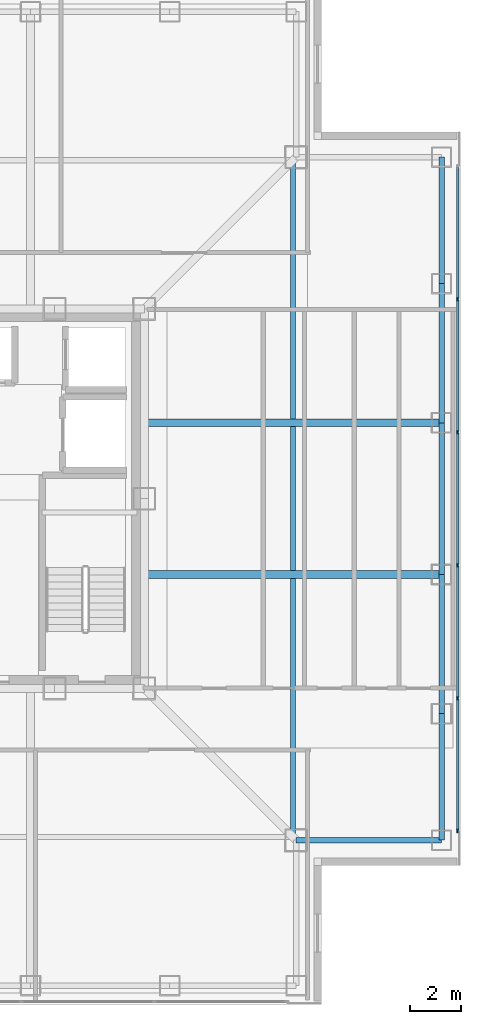
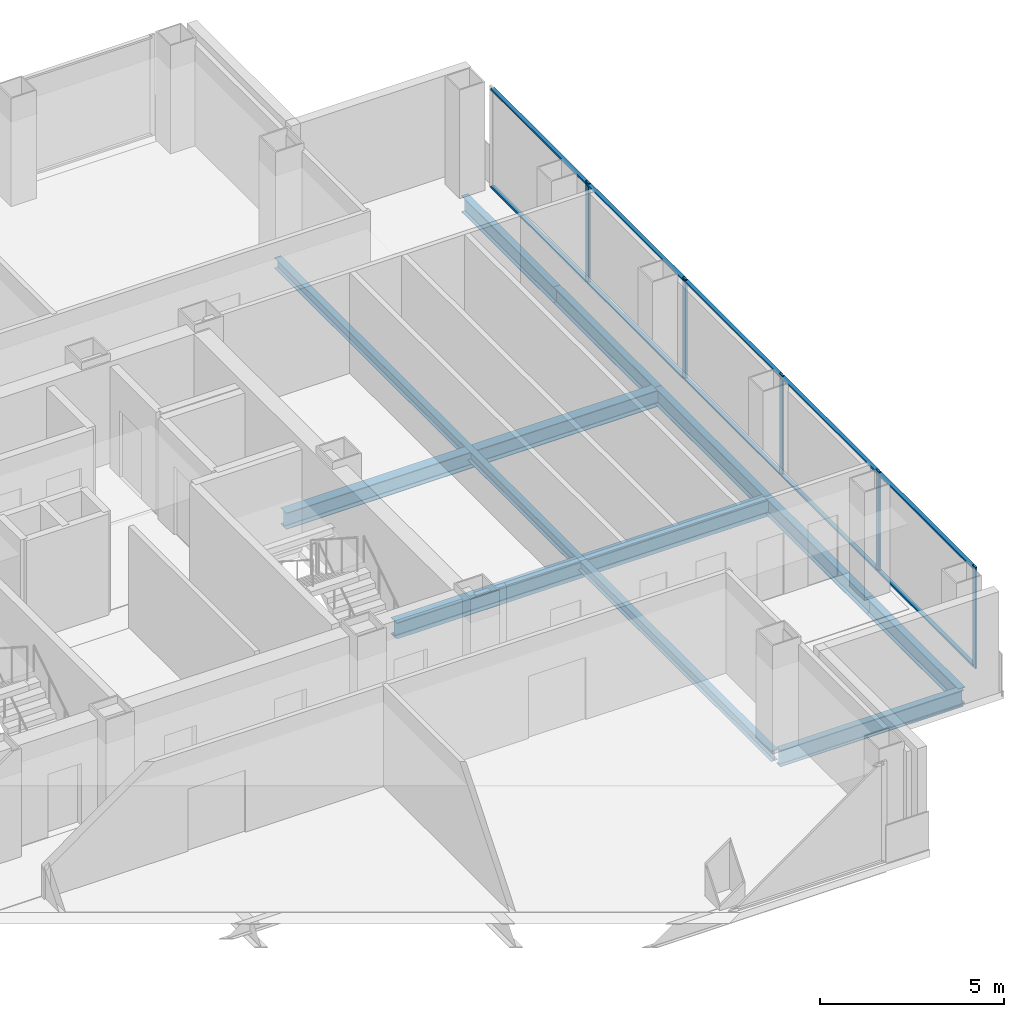
# One storey, part 6 of 18: 15 members, 9 beams, 1 element without a shape of its own.
"""IFC4 building model written with IfcOpenShell, lengths in metres."""

from ifc_helpers import new_model, si_unit, direction, frame, origin, origin_2d, place, context, subcontext, project, spatial, rectangle, i_section, extrude, material, layer, layer_set, material_profile, profile_set, type_object, element, aggregate, save


model = new_model("IFC4")

# Units and contexts
model_context = context("Model", 3, precision=1e-05, world=origin(), true_north=direction((0.0, 1.0)))
body_context = subcontext(model_context, "Body", "Model", "MODEL_VIEW")
ifc_project = project(units=[si_unit("LENGTHUNIT", "METRE"), si_unit("AREAUNIT", "SQUARE_METRE"), si_unit("VOLUMEUNIT", "CUBIC_METRE"), si_unit("PLANEANGLEUNIT", "RADIAN"), si_unit("MASSUNIT", "GRAM", prefix="KILO")], contexts=[model_context])

# Site, building, storey
site_placement = place(None, origin())
site = spatial("IfcSite", under=ifc_project, at=site_placement, CompositionType="ELEMENT")
building_placement = place(site_placement, origin())
building = spatial("IfcBuilding", under=site, at=building_placement, Name="Trevonay Congress Spire", CompositionType="ELEMENT")
storey_placement = place(building_placement, frame((0.0, 0.0, 198.60009765625)))
storey = spatial("IfcBuildingStorey", under=building, at=storey_placement, Name="L51", CompositionType="ELEMENT", Elevation=198.60009765625)

# Beams
ifc_material_1 = material(Name="Steel ASTM A572 Grade 50", Category="steel")
ifc_material_profile_1 = material_profile(ifc_material_1, i_section(OverallWidth=0.31201171875, OverallDepth=0.54296875, WebThickness=0.0126953125, FlangeThickness=0.020263671875, FilletRadius=0.014892578125, at=origin_2d()), Name="W530x150")
ifc_profile_set_1 = profile_set([ifc_material_profile_1], Name="Steel ASTM A572 Grade 50")
beam_type_1 = type_object("IfcBeamType", Name="BM-GIRD-W530X150", PredefinedType="BEAM", material=ifc_profile_set_1)
for number, where, z_axis, x_axis, name in (
    (1, (7.5, -3.0, -0.51171875), (1.0, 0.0, 0.0), (0.0, 1.0, 0.0), "L51 structural beam BM-L51-GE-M"),
    (2, (7.5, 3.0, -0.51171875), (1.0, 0.0, 0.0), (0.0, 1.0, 0.0), "L51 structural beam BM-L51-GE-P"),
):
    element("IfcBeam", number, at=place(storey_placement, frame(where, z_axis=z_axis, x_axis=x_axis)), inside=storey, type_object=beam_type_1, Name=name, PredefinedType="BEAM", context=body_context, shape_type="SweptSolid", body=[
        extrude(i_section(OverallWidth=0.31201171875, OverallDepth=0.54296875, WebThickness=0.0126953125, FlangeThickness=0.020263671875, FilletRadius=0.014892578125, at=origin_2d()), origin(), (0.0, 0.0, 1.0), 11.75),
    ])
ifc_material_profile_2 = material_profile(ifc_material_1, i_section(OverallWidth=0.2119140625, OverallDepth=0.5439453125, WebThickness=0.01318359375, FlangeThickness=0.021240234375, FilletRadius=0.014892578125, at=origin_2d()), Name="W530x123")
ifc_profile_set_2 = profile_set([ifc_material_profile_2], Name="Steel ASTM A572 Grade 50")
beam_type_2 = type_object("IfcBeamType", Name="BM-RING-W530X123", PredefinedType="BEAM", material=ifc_profile_set_2)
beam_1_placement = place(storey_placement, frame((19.25, -13.5, -0.51220703125), z_axis=(0.0, 1.0, 0.0), x_axis=(-1.0, 0.0, 0.0)))
element("IfcBeam", 3, at=beam_1_placement, inside=storey, type_object=beam_type_2, Name="L51 structural beam BM-L51-PE1", PredefinedType="BEAM", context=body_context, shape_type="SweptSolid", body=[
    extrude(i_section(OverallWidth=0.2119140625, OverallDepth=0.5439453125, WebThickness=0.01318359375, FlangeThickness=0.021240234375, FilletRadius=0.014892578125, at=origin_2d()), origin(), (0.0, 0.0, 1.0), 5.0),
])
beam_2_placement = place(storey_placement, frame((19.25, -8.5, -0.51220703125), z_axis=(0.0, 1.0, 0.0), x_axis=(-1.0, 0.0, 0.0)))
element("IfcBeam", 4, at=beam_2_placement, inside=storey, type_object=beam_type_2, Name="L51 structural beam BM-L51-PE2", PredefinedType="BEAM", context=body_context, shape_type="SweptSolid", body=[
    extrude(i_section(OverallWidth=0.2119140625, OverallDepth=0.5439453125, WebThickness=0.01318359375, FlangeThickness=0.021240234375, FilletRadius=0.014892578125, at=origin_2d()), origin(), (0.0, 0.0, 1.0), 5.5),
])
beam_3_placement = place(storey_placement, frame((19.25, -3.0, -0.51220703125), z_axis=(0.0, 1.0, 0.0), x_axis=(-1.0, 0.0, 0.0)))
element("IfcBeam", 5, at=beam_3_placement, inside=storey, type_object=beam_type_2, Name="L51 structural beam BM-L51-PE3", PredefinedType="BEAM", context=body_context, shape_type="SweptSolid", body=[
    extrude(i_section(OverallWidth=0.2119140625, OverallDepth=0.5439453125, WebThickness=0.01318359375, FlangeThickness=0.021240234375, FilletRadius=0.014892578125, at=origin_2d()), origin(), (0.0, 0.0, 1.0), 6.0),
])
beam_4_placement = place(storey_placement, frame((19.25, 3.0, -0.51220703125), z_axis=(0.0, 1.0, 0.0), x_axis=(-1.0, 0.0, 0.0)))
element("IfcBeam", 6, at=beam_4_placement, inside=storey, type_object=beam_type_2, Name="L51 structural beam BM-L51-PE4", PredefinedType="BEAM", context=body_context, shape_type="SweptSolid", body=[
    extrude(i_section(OverallWidth=0.2119140625, OverallDepth=0.5439453125, WebThickness=0.01318359375, FlangeThickness=0.021240234375, FilletRadius=0.014892578125, at=origin_2d()), origin(), (0.0, 0.0, 1.0), 5.5),
])
beam_5_placement = place(storey_placement, frame((19.25, 8.5, -0.51220703125), z_axis=(0.0, 1.0, 0.0), x_axis=(-1.0, 0.0, 0.0)))
element("IfcBeam", 7, at=beam_5_placement, inside=storey, type_object=beam_type_2, Name="L51 structural beam BM-L51-PE5", PredefinedType="BEAM", context=body_context, shape_type="SweptSolid", body=[
    extrude(i_section(OverallWidth=0.2119140625, OverallDepth=0.5439453125, WebThickness=0.01318359375, FlangeThickness=0.021240234375, FilletRadius=0.014892578125, at=origin_2d()), origin(), (0.0, 0.0, 1.0), 5.0),
])
beam_6_placement = place(storey_placement, frame((19.25, -13.5, -0.51220703125), z_axis=(-1.0, 0.0, 0.0), x_axis=(0.0, -1.0, 0.0)))
element("IfcBeam", 8, at=beam_6_placement, inside=storey, type_object=beam_type_2, Name="L51 structural beam BM-L51-N2SE", PredefinedType="BEAM", context=body_context, shape_type="SweptSolid", body=[
    extrude(i_section(OverallWidth=0.2119140625, OverallDepth=0.5439453125, WebThickness=0.01318359375, FlangeThickness=0.021240234375, FilletRadius=0.014892578125, at=origin_2d()), origin(), (0.0, 0.0, 1.0), 5.75),
])

# Curtain wall, members
ifc_material_2 = material(Name="Pale Anodised Aluminium EN AW-6063-T6", Category="aluminium")
ifc_layer = layer(ifc_material_2, 0.169921875, Name="Pale Anodised Aluminium EN AW-6063-T6")
ifc_layer_set = layer_set([ifc_layer], Name="Pale Anodised Aluminium EN AW-6063-T6")
curtain_wall_type = type_object("IfcCurtainWallType", Name="CW-SYS04-CORP-PALE-METAL", PredefinedType="NOTDEFINED", material=ifc_layer_set)
curtain_wall_placement = place(storey_placement, origin())
curtain_wall = element("IfcCurtainWall", 9, at=curtain_wall_placement, inside=storey, type_object=curtain_wall_type, Name="L51 E unitised curtain wall", PredefinedType="NOTDEFINED")
ifc_material_profile_3 = material_profile(ifc_material_2, rectangle(XDim=0.06005859375, YDim=0.159912109375, at=origin_2d()), Name="CW-MULLION-160-ALUMINIUM")
ifc_profile_set_3 = profile_set([ifc_material_profile_3], Name="Pale Anodised Aluminium EN AW-6063-T6")
member_type_1 = type_object("IfcMemberType", Name="CW-MULLION-160-ALUMINIUM", PredefinedType="MULLION", material=ifc_profile_set_3)
member_1_placement = place(storey_placement, frame((19.8798828125, -13.1201171875, 0.0), z_axis=(0.0, 0.0, 1.0), x_axis=(-1.0, 0.0, 0.0)))
member_1 = element("IfcMember", 10, at=member_1_placement, type_object=member_type_1, Name="CW04 mullion 1", PredefinedType="MULLION", context=body_context, shape_type="SweptSolid", body=[
    extrude(rectangle(XDim=0.06005859375, YDim=0.159912109375, at=origin_2d()), origin(), (0.0, 0.0, 1.0), 3.35986328125),
])
member_2_placement = place(storey_placement, frame((19.8798828125, -7.889892578125, 0.0), z_axis=(0.0, 0.0, 1.0), x_axis=(-1.0, 0.0, 0.0)))
member_2 = element("IfcMember", 11, at=member_2_placement, type_object=member_type_1, Name="CW04 mullion 2", PredefinedType="MULLION", context=body_context, shape_type="SweptSolid", body=[
    extrude(rectangle(XDim=0.06005859375, YDim=0.159912109375, at=origin_2d()), origin(), (0.0, 0.0, 1.0), 3.35986328125),
])
member_3_placement = place(storey_placement, frame((19.8798828125, -2.6298828125, 0.0), z_axis=(0.0, 0.0, 1.0), x_axis=(-1.0, 0.0, 0.0)))
member_3 = element("IfcMember", 12, at=member_3_placement, type_object=member_type_1, Name="CW04 mullion 3", PredefinedType="MULLION", context=body_context, shape_type="SweptSolid", body=[
    extrude(rectangle(XDim=0.06005859375, YDim=0.159912109375, at=origin_2d()), origin(), (0.0, 0.0, 1.0), 3.35986328125),
])
member_4_placement = place(storey_placement, frame((19.8798828125, 2.6298828125, 0.0), z_axis=(0.0, 0.0, 1.0), x_axis=(-1.0, 0.0, 0.0)))
member_4 = element("IfcMember", 13, at=member_4_placement, type_object=member_type_1, Name="CW04 mullion 4", PredefinedType="MULLION", context=body_context, shape_type="SweptSolid", body=[
    extrude(rectangle(XDim=0.06005859375, YDim=0.159912109375, at=origin_2d()), origin(), (0.0, 0.0, 1.0), 3.35986328125),
])
member_5_placement = place(storey_placement, frame((19.8798828125, 7.889892578125, 0.0), z_axis=(0.0, 0.0, 1.0), x_axis=(-1.0, 0.0, 0.0)))
member_5 = element("IfcMember", 14, at=member_5_placement, type_object=member_type_1, Name="CW04 mullion 5", PredefinedType="MULLION", context=body_context, shape_type="SweptSolid", body=[
    extrude(rectangle(XDim=0.06005859375, YDim=0.159912109375, at=origin_2d()), origin(), (0.0, 0.0, 1.0), 3.35986328125),
])
ifc_material_profile_4 = material_profile(ifc_material_2, rectangle(XDim=0.1201171875, YDim=0.06005859375, at=origin_2d()), Name="CW-TRANSOM-120-ALUMINIUM")
ifc_profile_set_4 = profile_set([ifc_material_profile_4], Name="Pale Anodised Aluminium EN AW-6063-T6")
member_type_2 = type_object("IfcMemberType", Name="CW-TRANSOM-120-ALUMINIUM", PredefinedType="USERDEFINED", material=ifc_profile_set_4)
member_6_placement = place(storey_placement, frame((19.8798828125, -13.090087890625, 0.059814453125), z_axis=(0.0, 1.0, 0.0), x_axis=(-1.0, 0.0, 0.0)))
member_6 = element("IfcMember", 15, at=member_6_placement, type_object=member_type_2, Name="CW04 transom 1.1", ObjectType="TRANSOM", PredefinedType="USERDEFINED", context=body_context, shape_type="SweptSolid", body=[
    extrude(rectangle(XDim=0.1201171875, YDim=0.06005859375, at=origin_2d()), origin(), (0.0, 0.0, 1.0), 5.170166015625),
])
member_7_placement = place(storey_placement, frame((19.8798828125, -13.090087890625, 3.2998046875), z_axis=(0.0, 1.0, 0.0), x_axis=(-1.0, 0.0, 0.0)))
member_7 = element("IfcMember", 16, at=member_7_placement, type_object=member_type_2, Name="CW04 transom 1.2", ObjectType="TRANSOM", PredefinedType="USERDEFINED", context=body_context, shape_type="SweptSolid", body=[
    extrude(rectangle(XDim=0.1201171875, YDim=0.06005859375, at=origin_2d()), origin(), (0.0, 0.0, 1.0), 5.170166015625),
])
member_8_placement = place(storey_placement, frame((19.8798828125, -7.860107421875, 0.059814453125), z_axis=(0.0, 1.0, 0.0), x_axis=(-1.0, 0.0, 0.0)))
member_8 = element("IfcMember", 17, at=member_8_placement, type_object=member_type_2, Name="CW04 transom 2.1", ObjectType="TRANSOM", PredefinedType="USERDEFINED", context=body_context, shape_type="SweptSolid", body=[
    extrude(rectangle(XDim=0.1201171875, YDim=0.06005859375, at=origin_2d()), origin(), (0.0, 0.0, 1.0), 5.2001953125),
])
member_9_placement = place(storey_placement, frame((19.8798828125, -7.860107421875, 3.2998046875), z_axis=(0.0, 1.0, 0.0), x_axis=(-1.0, 0.0, 0.0)))
member_9 = element("IfcMember", 18, at=member_9_placement, type_object=member_type_2, Name="CW04 transom 2.2", ObjectType="TRANSOM", PredefinedType="USERDEFINED", context=body_context, shape_type="SweptSolid", body=[
    extrude(rectangle(XDim=0.1201171875, YDim=0.06005859375, at=origin_2d()), origin(), (0.0, 0.0, 1.0), 5.2001953125),
])
member_10_placement = place(storey_placement, frame((19.8798828125, -2.60009765625, 0.059814453125), z_axis=(0.0, 1.0, 0.0), x_axis=(-1.0, 0.0, 0.0)))
member_10 = element("IfcMember", 19, at=member_10_placement, type_object=member_type_2, Name="CW04 transom 3.1", ObjectType="TRANSOM", PredefinedType="USERDEFINED", context=body_context, shape_type="SweptSolid", body=[
    extrude(rectangle(XDim=0.1201171875, YDim=0.06005859375, at=origin_2d()), origin(), (0.0, 0.0, 1.0), 5.2001953125),
])
member_11_placement = place(storey_placement, frame((19.8798828125, -2.60009765625, 3.2998046875), z_axis=(0.0, 1.0, 0.0), x_axis=(-1.0, 0.0, 0.0)))
member_11 = element("IfcMember", 20, at=member_11_placement, type_object=member_type_2, Name="CW04 transom 3.2", ObjectType="TRANSOM", PredefinedType="USERDEFINED", context=body_context, shape_type="SweptSolid", body=[
    extrude(rectangle(XDim=0.1201171875, YDim=0.06005859375, at=origin_2d()), origin(), (0.0, 0.0, 1.0), 5.2001953125),
])
member_12_placement = place(storey_placement, frame((19.8798828125, 2.659912109375, 0.059814453125), z_axis=(0.0, 1.0, 0.0), x_axis=(-1.0, 0.0, 0.0)))
member_12 = element("IfcMember", 21, at=member_12_placement, type_object=member_type_2, Name="CW04 transom 4.1", ObjectType="TRANSOM", PredefinedType="USERDEFINED", context=body_context, shape_type="SweptSolid", body=[
    extrude(rectangle(XDim=0.1201171875, YDim=0.06005859375, at=origin_2d()), origin(), (0.0, 0.0, 1.0), 5.2001953125),
])
member_13_placement = place(storey_placement, frame((19.8798828125, 2.659912109375, 3.2998046875), z_axis=(0.0, 1.0, 0.0), x_axis=(-1.0, 0.0, 0.0)))
member_13 = element("IfcMember", 22, at=member_13_placement, type_object=member_type_2, Name="CW04 transom 4.2", ObjectType="TRANSOM", PredefinedType="USERDEFINED", context=body_context, shape_type="SweptSolid", body=[
    extrude(rectangle(XDim=0.1201171875, YDim=0.06005859375, at=origin_2d()), origin(), (0.0, 0.0, 1.0), 5.2001953125),
])
member_14_placement = place(storey_placement, frame((19.8798828125, 7.919921875, 0.059814453125), z_axis=(0.0, 1.0, 0.0), x_axis=(-1.0, 0.0, 0.0)))
member_14 = element("IfcMember", 23, at=member_14_placement, type_object=member_type_2, Name="CW04 transom 5.1", ObjectType="TRANSOM", PredefinedType="USERDEFINED", context=body_context, shape_type="SweptSolid", body=[
    extrude(rectangle(XDim=0.1201171875, YDim=0.06005859375, at=origin_2d()), origin(), (0.0, 0.0, 1.0), 5.170166015625),
])
member_15_placement = place(storey_placement, frame((19.8798828125, 7.919921875, 3.2998046875), z_axis=(0.0, 1.0, 0.0), x_axis=(-1.0, 0.0, 0.0)))
member_15 = element("IfcMember", 24, at=member_15_placement, type_object=member_type_2, Name="CW04 transom 5.2", ObjectType="TRANSOM", PredefinedType="USERDEFINED", context=body_context, shape_type="SweptSolid", body=[
    extrude(rectangle(XDim=0.1201171875, YDim=0.06005859375, at=origin_2d()), origin(), (0.0, 0.0, 1.0), 5.170166015625),
])
aggregate(curtain_wall, [member_1, member_2, member_3, member_4, member_5, member_6, member_7, member_8, member_9, member_10, member_11, member_12, member_13, member_14, member_15])

# Beam
ifc_material_profile_5 = material_profile(ifc_material_1, i_section(OverallWidth=0.205078125, OverallDepth=0.35400390625, WebThickness=0.009521484375, FlangeThickness=0.016845703125, FilletRadius=0.011962890625, at=origin_2d()), Name="W360x79")
ifc_profile_set_5 = profile_set([ifc_material_profile_5], Name="Steel ASTM A572 Grade 50")
beam_type_3 = type_object("IfcBeamType", Name="JS-COMP-W360X79", PredefinedType="JOIST", material=ifc_profile_set_5)
beam_7_placement = place(storey_placement, frame((13.375, -13.5, -0.4169921875), z_axis=(0.0, 1.0, 0.0), x_axis=(-1.0, 0.0, 0.0)))
element("IfcBeam", 25, at=beam_7_placement, inside=storey, type_object=beam_type_3, Name="L51 structural beam JS-L51-RING-E", PredefinedType="JOIST", context=body_context, shape_type="SweptSolid", body=[
    extrude(i_section(OverallWidth=0.205078125, OverallDepth=0.35400390625, WebThickness=0.009521484375, FlangeThickness=0.016845703125, FilletRadius=0.011962890625, at=origin_2d()), origin(), (0.0, 0.0, 1.0), 27.0),
])

save(model, "model.ifc")
